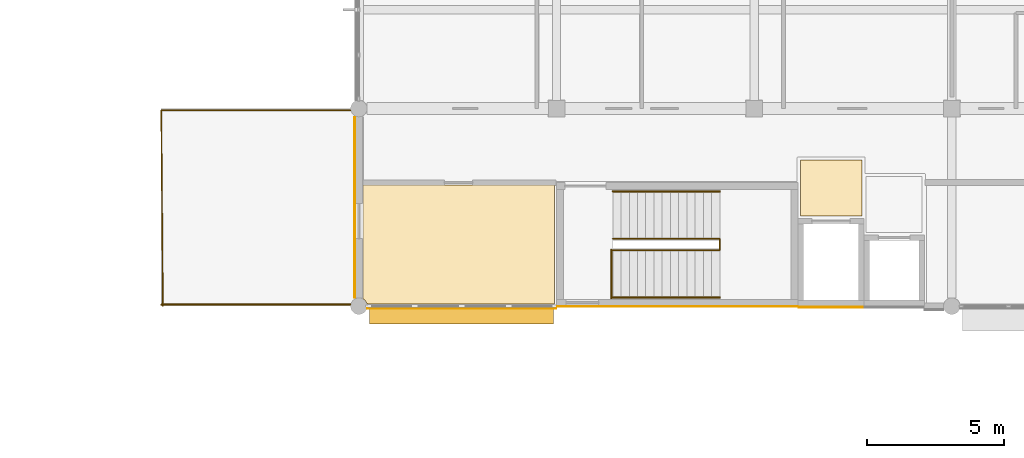
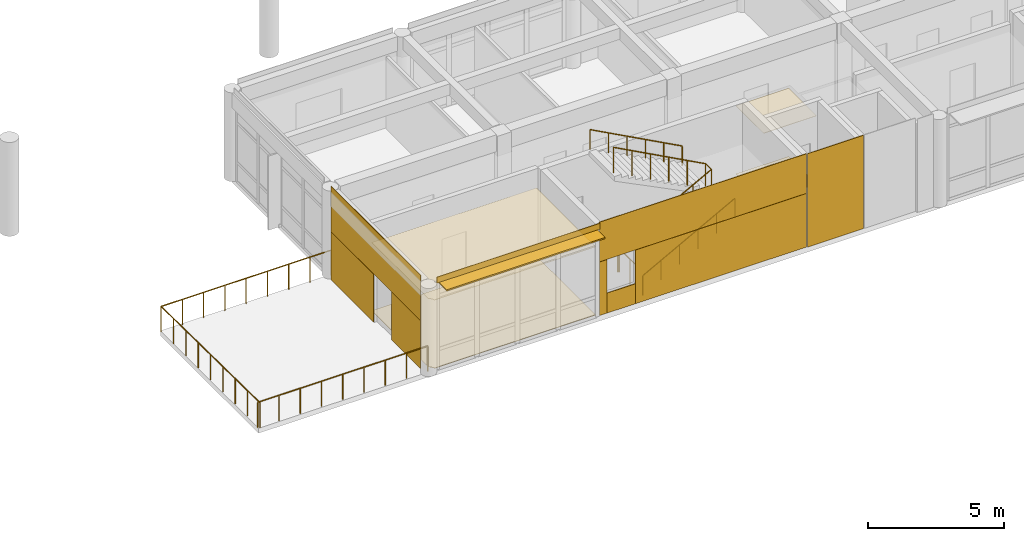
# One storey, part 35 of 41: 13 coverings, 6 railings, 1 shading device.
"""IFC4 building model written with IfcOpenShell, lengths in metres."""

from ifc_helpers import new_model, si_unit, direction, frame, origin, origin_2d, place, context, subcontext, project, spatial, polyline, rectangle, circle, outline, extrude, material, layer, layer_set, type_object, element, save


model = new_model("IFC4")

# Units and contexts
model_context = context("Model", 3, precision=1e-05, world=origin(), true_north=direction((0.0, 1.0)))
body_context = subcontext(model_context, "Body", "Model", "MODEL_VIEW")
ifc_project = project(units=[si_unit("LENGTHUNIT", "METRE"), si_unit("AREAUNIT", "SQUARE_METRE"), si_unit("VOLUMEUNIT", "CUBIC_METRE"), si_unit("PLANEANGLEUNIT", "RADIAN"), si_unit("MASSUNIT", "GRAM", prefix="KILO")], contexts=[model_context])

# Site, building, storey
site_placement = place(None, origin())
site = spatial("IfcSite", under=ifc_project, at=site_placement, CompositionType="ELEMENT")
building_placement = place(site_placement, origin())
building = spatial("IfcBuilding", under=site, at=building_placement, Name="Namkhue Oval Health Centre", CompositionType="ELEMENT")
storey_placement = place(building_placement, frame((0.0, 0.0, 13.800048828125)))
storey = spatial("IfcBuildingStorey", under=building, at=storey_placement, Name="L03", CompositionType="ELEMENT", Elevation=13.800048828125)

# Coverings
ifc_material_1 = material(Name="Acoustic mineral-fibre cleanroom ceiling", Category="gypsum")
ifc_layer_1 = layer(ifc_material_1, 0.02001953125)
ifc_layer_set_1 = layer_set([ifc_layer_1], Name="Acoustic mineral-fibre cleanroom ceiling")
covering_type_1 = type_object("IfcCoveringType", Name="ACOUSTIC CLEANROOM CEILING 20", PredefinedType="CEILING", material=ifc_layer_set_1)
covering_1_placement = place(storey_placement, frame((0.0, 0.0, 3.050048828125)))
element("IfcCovering", 1, at=covering_1_placement, inside=storey, type_object=covering_type_1, Name="Acoustic Ceiling L03-LL1 Lift Lobby LF-01", PredefinedType="CEILING", context=body_context, shape_type="SweptSolid", body=[
    extrude(outline(polyline([(66.47998046875, 93.280029296875), (66.47998046875, 95.320068359375), (68.719970703125, 95.320068359375), (68.719970703125, 93.280029296875), (66.47998046875, 93.280029296875)])), origin(), (0.0, 0.0, 1.0), 0.02001953125),
])
covering_2_placement = place(storey_placement, frame((0.0, 0.0, 3.050048828125)))
element("IfcCovering", 2, at=covering_2_placement, inside=storey, type_object=covering_type_1, Name="Acoustic Ceiling L03-209 West Terrace Wellness Lounge", PredefinedType="CEILING", context=body_context, shape_type="SweptSolid", body=[
    extrude(outline(polyline([(50.697509765625, 90.0849609375), (50.66845703125, 90.155029296875), (50.619140625, 90.21923828125), (50.554931640625, 90.2685546875), (50.544921875, 90.272705078125), (50.544921875, 94.419921875), (57.52001953125, 94.419921875), (57.52001953125, 90.0849609375), (50.697509765625, 90.0849609375)])), origin(), (0.0, 0.0, 1.0), 0.02001953125),
])
ifc_material_2 = material(Name="Homogeneous anti-bacterial clinical vinyl flooring", Category="plastic")
ifc_layer_2 = layer(ifc_material_2, 0.014892578125)
ifc_layer_set_2 = layer_set([ifc_layer_2], Name="Homogeneous anti-bacterial clinical vinyl flooring")
covering_type_2 = type_object("IfcCoveringType", Name="CLINICAL ANTIBACTERIAL VINYL FLOORING 15", PredefinedType="FLOORING", material=ifc_layer_set_2)
covering_3_placement = place(storey_placement, origin())
element("IfcCovering", 3, at=covering_3_placement, inside=storey, type_object=covering_type_2, Name="Clinical Flooring L03-LL1 Lift Lobby LF-01", PredefinedType="FLOORING", context=body_context, shape_type="SweptSolid", body=[
    extrude(outline(polyline([(66.47998046875, 93.280029296875), (66.47998046875, 95.320068359375), (68.719970703125, 95.320068359375), (68.719970703125, 93.280029296875), (66.47998046875, 93.280029296875)])), origin(), (0.0, 0.0, 1.0), 0.014892578125),
])
covering_4_placement = place(storey_placement, origin())
element("IfcCovering", 4, at=covering_4_placement, inside=storey, type_object=covering_type_2, Name="Clinical Flooring L03-209 West Terrace Wellness Lounge", PredefinedType="FLOORING", context=body_context, shape_type="SweptSolid", body=[
    extrude(outline(polyline([(50.697509765625, 90.0849609375), (50.66845703125, 90.155029296875), (50.619140625, 90.21923828125), (50.554931640625, 90.2685546875), (50.544921875, 90.272705078125), (50.544921875, 94.419921875), (57.52001953125, 94.419921875), (57.52001953125, 90.0849609375), (50.697509765625, 90.0849609375)])), origin(), (0.0, 0.0, 1.0), 0.014892578125),
])

# Railings
ifc_material_3 = material(Name="Brushed stainless steel 316L balustrade with laminated glass infill", Category="steel")
railing_type_1 = type_object("IfcRailingType", Name="EXTERIOR BALUSTRADE GUARD 1150", PredefinedType="BALUSTRADE", material=ifc_material_3)
railing_1_placement = place(storey_placement, frame((43.199951171875, 90.06005859375, 0.0)))
element("IfcRailing", 5, at=railing_1_placement, inside=storey, type_object=railing_type_1, Name="Volume V2 L03 Terrace Balustrade Guard 1", PredefinedType="BALUSTRADE", context=body_context, shape_type="SweptSolid", body=[
    extrude(circle(Radius=0.02392578125, at=origin_2d()), frame((0.0, 0.0, 1.1259765625), z_axis=(1.0, 0.0, 0.0), x_axis=(0.0, 1.0, 0.0)), (0.0, 0.0, 1.0), 7.199951171875),
    extrude(circle(Radius=0.02099609375, at=origin_2d()), origin(), (0.0, 0.0, 1.0), 1.101806640625),
    extrude(circle(Radius=0.02099609375, at=origin_2d()), frame((0.89990234375, 0.0, 0.0)), (0.0, 0.0, 1.0), 1.101806640625),
    extrude(circle(Radius=0.02099609375, at=origin_2d()), frame((1.800048828125, 0.0, 0.0)), (0.0, 0.0, 1.0), 1.101806640625),
    extrude(circle(Radius=0.02099609375, at=origin_2d()), frame((2.699951171875, 0.0, 0.0)), (0.0, 0.0, 1.0), 1.101806640625),
    extrude(circle(Radius=0.02099609375, at=origin_2d()), frame((3.60009765625, 0.0, 0.0)), (0.0, 0.0, 1.0), 1.101806640625),
    extrude(circle(Radius=0.02099609375, at=origin_2d()), frame((4.5, 0.0, 0.0)), (0.0, 0.0, 1.0), 1.101806640625),
    extrude(circle(Radius=0.02099609375, at=origin_2d()), frame((5.39990234375, 0.0, 0.0)), (0.0, 0.0, 1.0), 1.101806640625),
    extrude(circle(Radius=0.02099609375, at=origin_2d()), frame((6.300048828125, 0.0, 0.0)), (0.0, 0.0, 1.0), 1.101806640625),
    extrude(circle(Radius=0.02099609375, at=origin_2d()), frame((7.199951171875, 0.0, 0.0)), (0.0, 0.0, 1.0), 1.101806640625),
])
railing_2_placement = place(storey_placement, frame((50.39990234375, 97.139892578125, 0.0)))
element("IfcRailing", 6, at=railing_2_placement, inside=storey, type_object=railing_type_1, Name="Volume V2 L03 Terrace Balustrade Guard 2", PredefinedType="BALUSTRADE", context=body_context, shape_type="SweptSolid", body=[
    extrude(circle(Radius=0.02392578125, at=origin_2d()), frame((0.0, 0.0, 1.1259765625), z_axis=(-1.0, 0.0, 0.0), x_axis=(0.0, -1.0, 0.0)), (0.0, 0.0, 1.0), 7.199951171875),
    extrude(circle(Radius=0.02392578125, at=origin_2d()), frame((-7.199951171875, 0.0, 1.1259765625), z_axis=(0.008411396731, -0.999964623577, 0.0), x_axis=(0.999964623577, 0.008411396731, 0.0)), (0.0, 0.0, 1.0), 7.14013671875),
    extrude(circle(Radius=0.02099609375, at=origin_2d()), origin(), (0.0, 0.0, 1.0), 1.101806640625),
    extrude(circle(Radius=0.02099609375, at=origin_2d()), frame((-0.89990234375, 0.0, 0.0)), (0.0, 0.0, 1.0), 1.101806640625),
    extrude(circle(Radius=0.02099609375, at=origin_2d()), frame((-1.800048828125, 0.0, 0.0)), (0.0, 0.0, 1.0), 1.101806640625),
    extrude(circle(Radius=0.02099609375, at=origin_2d()), frame((-2.699951171875, 0.0, 0.0)), (0.0, 0.0, 1.0), 1.101806640625),
    extrude(circle(Radius=0.02099609375, at=origin_2d()), frame((-3.60009765625, 0.0, 0.0)), (0.0, 0.0, 1.0), 1.101806640625),
    extrude(circle(Radius=0.02099609375, at=origin_2d()), frame((-4.5, 0.0, 0.0)), (0.0, 0.0, 1.0), 1.101806640625),
    extrude(circle(Radius=0.02099609375, at=origin_2d()), frame((-5.39990234375, 0.0, 0.0)), (0.0, 0.0, 1.0), 1.101806640625),
    extrude(circle(Radius=0.02099609375, at=origin_2d()), frame((-6.300048828125, 0.0, 0.0)), (0.0, 0.0, 1.0), 1.101806640625),
    extrude(circle(Radius=0.02099609375, at=origin_2d()), frame((-7.199951171875, 0.0, 0.0)), (0.0, 0.0, 1.0), 1.101806640625),
    extrude(circle(Radius=0.02099609375, at=origin_2d()), frame((-7.1923828125, -0.892578125, 0.0)), (0.0, 0.0, 1.0), 1.101806640625),
    extrude(circle(Radius=0.02099609375, at=origin_2d()), frame((-7.18505859375, -1.784912109375, 0.0)), (0.0, 0.0, 1.0), 1.101806640625),
    extrude(circle(Radius=0.02099609375, at=origin_2d()), frame((-7.177490234375, -2.677490234375, 0.0)), (0.0, 0.0, 1.0), 1.101806640625),
    extrude(circle(Radius=0.02099609375, at=origin_2d()), frame((-7.169921875, -3.56982421875, 0.0)), (0.0, 0.0, 1.0), 1.101806640625),
    extrude(circle(Radius=0.02099609375, at=origin_2d()), frame((-7.162353515625, -4.46240234375, 0.0)), (0.0, 0.0, 1.0), 1.101806640625),
    extrude(circle(Radius=0.02099609375, at=origin_2d()), frame((-7.15478515625, -5.35498046875, 0.0)), (0.0, 0.0, 1.0), 1.101806640625),
    extrude(circle(Radius=0.02099609375, at=origin_2d()), frame((-7.1474609375, -6.247314453125, 0.0)), (0.0, 0.0, 1.0), 1.101806640625),
    extrude(circle(Radius=0.02099609375, at=origin_2d()), frame((-7.139892578125, -7.139892578125, 0.0)), (0.0, 0.0, 1.0), 1.101806640625),
])
railing_type_2 = type_object("IfcRailingType", Name="INTERIOR BALUSTRADE GUARD 1150", PredefinedType="BALUSTRADE", material=ifc_material_3)
railing_3_placement = place(storey_placement, frame((59.60009765625, 90.2900390625, 0.0)))
element("IfcRailing", 7, at=railing_3_placement, inside=storey, type_object=railing_type_2, Name="Stair ST-03 L03 Landing Well Edge Guard", PredefinedType="BALUSTRADE", context=body_context, shape_type="SweptSolid", body=[
    extrude(circle(Radius=0.02392578125, at=origin_2d()), frame((0.0, 0.0, 1.1259765625), z_axis=(0.0, 1.0, 0.0), x_axis=(-1.0, 0.0, 0.0)), (0.0, 0.0, 1.0), 1.77001953125),
    extrude(circle(Radius=0.02099609375, at=origin_2d()), origin(), (0.0, 0.0, 1.0), 1.101806640625),
    extrude(circle(Radius=0.02099609375, at=origin_2d()), frame((0.0, 0.885009765625, 0.0)), (0.0, 0.0, 1.0), 1.101806640625),
    extrude(circle(Radius=0.02099609375, at=origin_2d()), frame((0.0, 1.77001953125, 0.0)), (0.0, 0.0, 1.0), 1.101806640625),
])
railing_4_placement = place(storey_placement, frame((59.64990234375, 92.0400390625, 0.0)))
element("IfcRailing", 8, at=railing_4_placement, inside=storey, type_object=railing_type_2, Name="Stair ST-03 L03 Inner Well Guard", PredefinedType="BALUSTRADE", context=body_context, shape_type="SweptSolid", body=[
    extrude(circle(Radius=0.02392578125, at=origin_2d()), frame((0.0, 0.0, 1.1259765625), z_axis=(0.88049233674, 0.0, 0.474060381114), x_axis=(0.0, 1.0, 0.0)), (0.0, 0.0, 1.0), 4.429443359375),
    extrude(circle(Radius=0.02392578125, at=origin_2d()), frame((3.900146484375, 0.0, 3.2255859375), z_axis=(0.0, 1.0, 0.0), x_axis=(-1.0, 0.0, 0.0)), (0.0, 0.0, 1.0), 0.419921875),
    extrude(circle(Radius=0.02392578125, at=origin_2d()), frame((3.900146484375, 0.419921875, 3.2255859375), z_axis=(-0.880469330154, 0.0, 0.474103109733), x_axis=(0.0, -1.0, 0.0)), (0.0, 0.0, 1.0), 4.4296875),
    extrude(circle(Radius=0.02099609375, at=origin_2d()), origin(), (0.0, 0.0, 1.0), 1.101806640625),
    extrude(circle(Radius=0.02099609375, at=origin_2d()), frame((0.780029296875, 0.0, 0.419921875)), (0.0, 0.0, 1.0), 1.101806640625),
    extrude(circle(Radius=0.02099609375, at=origin_2d()), frame((1.56005859375, 0.0, 0.83984375)), (0.0, 0.0, 1.0), 1.101806640625),
    extrude(circle(Radius=0.02099609375, at=origin_2d()), frame((2.340087890625, 0.0, 1.260009765625)), (0.0, 0.0, 1.0), 1.101806640625),
    extrude(circle(Radius=0.02099609375, at=origin_2d()), frame((3.1201171875, 0.0, 1.679931640625)), (0.0, 0.0, 1.0), 1.101806640625),
    extrude(circle(Radius=0.02099609375, at=origin_2d()), frame((3.900146484375, 0.0, 2.099853515625)), (0.0, 0.0, 1.0), 1.101806640625),
    extrude(circle(Radius=0.02099609375, at=origin_2d()), frame((3.900146484375, 0.419921875, 2.099853515625)), (0.0, 0.0, 1.0), 1.101806640625),
    extrude(circle(Radius=0.02099609375, at=origin_2d()), frame((3.1201171875, 0.419921875, 2.519775390625)), (0.0, 0.0, 1.0), 1.101806640625),
    extrude(circle(Radius=0.02099609375, at=origin_2d()), frame((2.340087890625, 0.419921875, 2.93994140625)), (0.0, 0.0, 1.0), 1.101806640625),
    extrude(circle(Radius=0.02099609375, at=origin_2d()), frame((1.56005859375, 0.419921875, 3.35986328125)), (0.0, 0.0, 1.0), 1.101806640625),
    extrude(circle(Radius=0.02099609375, at=origin_2d()), frame((0.780029296875, 0.419921875, 3.780029296875)), (0.0, 0.0, 1.0), 1.101806640625),
    extrude(circle(Radius=0.02099609375, at=origin_2d()), frame((0.0, 0.419921875, 4.199951171875)), (0.0, 0.0, 1.0), 1.101806640625),
])
ifc_material_4 = material(Name="Brushed stainless steel 304 tubular handrail", Category="steel")
railing_type_3 = type_object("IfcRailingType", Name="INTERIOR STAIR HANDRAIL 900", PredefinedType="HANDRAIL", material=ifc_material_4)
railing_5_placement = place(storey_placement, frame((59.64990234375, 90.320068359375, 0.0)))
element("IfcRailing", 9, at=railing_5_placement, inside=storey, type_object=railing_type_3, Name="Stair ST-03 L03 Flight 1 Handrail", PredefinedType="HANDRAIL", context=body_context, shape_type="SweptSolid", body=[
    extrude(circle(Radius=0.02392578125, at=origin_2d()), frame((0.0, 0.0, 0.8759765625), z_axis=(0.88049233674, 0.0, 0.474060381114), x_axis=(0.0, 1.0, 0.0)), (0.0, 0.0, 1.0), 4.429443359375),
    extrude(circle(Radius=0.02099609375, at=origin_2d()), origin(), (0.0, 0.0, 1.0), 0.851806640625),
    extrude(circle(Radius=0.02099609375, at=origin_2d()), frame((0.780029296875, 0.0, 0.419921875)), (0.0, 0.0, 1.0), 0.851806640625),
    extrude(circle(Radius=0.02099609375, at=origin_2d()), frame((1.56005859375, 0.0, 0.83984375)), (0.0, 0.0, 1.0), 0.851806640625),
    extrude(circle(Radius=0.02099609375, at=origin_2d()), frame((2.340087890625, 0.0, 1.260009765625)), (0.0, 0.0, 1.0), 0.851806640625),
    extrude(circle(Radius=0.02099609375, at=origin_2d()), frame((3.1201171875, 0.0, 1.679931640625)), (0.0, 0.0, 1.0), 0.851806640625),
    extrude(circle(Radius=0.02099609375, at=origin_2d()), frame((3.900146484375, 0.0, 2.099853515625)), (0.0, 0.0, 1.0), 0.851806640625),
])
railing_6_placement = place(storey_placement, frame((63.550048828125, 94.179931640625, 2.099853515625)))
element("IfcRailing", 10, at=railing_6_placement, inside=storey, type_object=railing_type_3, Name="Stair ST-03 L03 Flight 2 Handrail", PredefinedType="HANDRAIL", context=body_context, shape_type="SweptSolid", body=[
    extrude(circle(Radius=0.02392578125, at=origin_2d()), frame((0.0, 0.0, 0.8759765625), z_axis=(-0.880469330154, 0.0, 0.474103109733), x_axis=(0.0, -1.0, 0.0)), (0.0, 0.0, 1.0), 4.4296875),
    extrude(circle(Radius=0.02099609375, at=origin_2d()), origin(), (0.0, 0.0, 1.0), 0.851806640625),
    extrude(circle(Radius=0.02099609375, at=origin_2d()), frame((-0.780029296875, 0.0, 0.419921875)), (0.0, 0.0, 1.0), 0.851806640625),
    extrude(circle(Radius=0.02099609375, at=origin_2d()), frame((-1.56005859375, 0.0, 0.840087890625)), (0.0, 0.0, 1.0), 0.851806640625),
    extrude(circle(Radius=0.02099609375, at=origin_2d()), frame((-2.340087890625, 0.0, 1.260009765625)), (0.0, 0.0, 1.0), 0.851806640625),
    extrude(circle(Radius=0.02099609375, at=origin_2d()), frame((-3.1201171875, 0.0, 1.68017578125)), (0.0, 0.0, 1.0), 0.851806640625),
    extrude(circle(Radius=0.02099609375, at=origin_2d()), frame((-3.900146484375, 0.0, 2.10009765625)), (0.0, 0.0, 1.0), 0.851806640625),
])

# Shading device
ifc_material_5 = material(Name="Anodised aluminium EN AW-6063 T6", Category="aluminium")
ifc_layer_3 = layer(ifc_material_5, 0.050048828125)
ifc_layer_set_3 = layer_set([ifc_layer_3], Name="Anodised aluminium EN AW-6063 T6")
shading_device_type = type_object("IfcShadingDeviceType", Name="STORM SHUTTER LOUVRE 650", PredefinedType="SHUTTER", material=ifc_layer_set_3)
shading_device_placement = place(storey_placement, frame((54.146484375, 89.675048828125, 3.875), z_axis=(0.0, 0.0, 1.0), x_axis=(1.0, 0.0, 0.0)))
element("IfcShadingDevice", 11, at=shading_device_placement, inside=storey, type_object=shading_device_type, Name="Volume V2 L03 Horizontal Monsoon Sun Louvre 89", PredefinedType="SHUTTER", context=body_context, shape_type="SweptSolid", body=[
    extrude(rectangle(XDim=6.702880859375, YDim=0.64990234375, at=origin_2d()), origin(), (0.0, 0.0, 1.0), 0.06005859375),
])

# Coverings
ifc_material_6 = material(Name="White glass-fibre reinforced concrete GRC rainscreen cladding", Category="concrete")
ifc_layer_4 = layer(ifc_material_6, 0.02490234375)
ifc_layer_set_4 = layer_set([ifc_layer_4], Name="White glass-fibre reinforced concrete GRC rainscreen cladding")
covering_type_3 = type_object("IfcCoveringType", Name="WHITE GRC RAINSCREEN CLADDING 25", PredefinedType="CLADDING", material=ifc_layer_set_4)
covering_5_placement = place(storey_placement, frame((54.146484375, 89.91162109375, 3.929931640625), z_axis=(0.0, 0.0, 1.0), x_axis=(1.0, 0.0, 0.0)))
element("IfcCovering", 12, at=covering_5_placement, inside=storey, type_object=covering_type_3, Name="Volume V2 L03 Curtain Wall Spandrel Cladding 70", PredefinedType="CLADDING", context=body_context, shape_type="SweptSolid", body=[
    extrude(rectangle(XDim=6.89306640625, YDim=0.02490234375, at=origin_2d()), origin(), (0.0, 0.0, 1.0), 0.27001953125),
])
covering_6_placement = place(storey_placement, frame((50.2529296875, 93.60009765625, 2.1650390625), z_axis=(0.0, 0.0, 1.0), x_axis=(0.0, -1.0, 0.0)))
element("IfcCovering", 13, at=covering_6_placement, inside=storey, type_object=covering_type_3, Name="Volume V2 L03 Facade 42 White GRC Cladding 1", PredefinedType="CLADDING", context=body_context, shape_type="SweptSolid", body=[
    extrude(rectangle(XDim=6.570068359375, YDim=0.02490234375, at=origin_2d()), origin(), (0.0, 0.0, 1.0), 2.02490234375),
])
covering_7_placement = place(storey_placement, frame((50.2529296875, 95.320068359375, 0.010009765625), z_axis=(0.0, 0.0, 1.0), x_axis=(0.0, -1.0, 0.0)))
element("IfcCovering", 14, at=covering_7_placement, inside=storey, type_object=covering_type_3, Name="Volume V2 L03 Facade 42 White GRC Cladding 2", PredefinedType="CLADDING", context=body_context, shape_type="SweptSolid", body=[
    extrude(rectangle(XDim=3.1298828125, YDim=0.02490234375, at=origin_2d()), origin(), (0.0, 0.0, 1.0), 2.14990234375),
])
covering_8_placement = place(storey_placement, frame((50.2529296875, 91.3798828125, 0.010009765625), z_axis=(0.0, 0.0, 1.0), x_axis=(0.0, -1.0, 0.0)))
element("IfcCovering", 15, at=covering_8_placement, inside=storey, type_object=covering_type_3, Name="Volume V2 L03 Facade 42 White GRC Cladding 3", PredefinedType="CLADDING", context=body_context, shape_type="SweptSolid", body=[
    extrude(rectangle(XDim=2.1298828125, YDim=0.02490234375, at=origin_2d()), origin(), (0.0, 0.0, 1.0), 2.14990234375),
])
covering_9_placement = place(storey_placement, frame((62.0, 89.988037109375, 2.4150390625), z_axis=(0.0, 0.0, 1.0), x_axis=(1.0, 0.0, 0.0)))
element("IfcCovering", 16, at=covering_9_placement, inside=storey, type_object=covering_type_3, Name="Core SC-03 L03 Core S White GRC Cladding 1", PredefinedType="CLADDING", context=body_context, shape_type="SweptSolid", body=[
    extrude(rectangle(XDim=8.760009765625, YDim=0.02490234375, at=origin_2d()), origin(), (0.0, 0.0, 1.0), 1.77490234375),
])
covering_10_placement = place(storey_placement, frame((57.777587890625, 89.988037109375, 0.010009765625), z_axis=(0.0, 0.0, 1.0), x_axis=(1.0, 0.0, 0.0)))
element("IfcCovering", 17, at=covering_10_placement, inside=storey, type_object=covering_type_3, Name="Core SC-03 L03 Core S White GRC Cladding 2", PredefinedType="CLADDING", context=body_context, shape_type="SweptSolid", body=[
    extrude(rectangle(XDim=0.31494140625, YDim=0.02490234375, at=origin_2d()), origin(), (0.0, 0.0, 1.0), 2.39990234375),
])
covering_11_placement = place(storey_placement, frame((58.5400390625, 89.988037109375, 0.010009765625), z_axis=(0.0, 0.0, 1.0), x_axis=(1.0, 0.0, 0.0)))
element("IfcCovering", 18, at=covering_11_placement, inside=storey, type_object=covering_type_3, Name="Core SC-03 L03 Core S White GRC Cladding 3", PredefinedType="CLADDING", context=body_context, shape_type="SweptSolid", body=[
    extrude(rectangle(XDim=1.199951171875, YDim=0.02490234375, at=origin_2d()), origin(), (0.0, 0.0, 1.0), 0.89501953125),
])
covering_12_placement = place(storey_placement, frame((62.762451171875, 89.988037109375, 0.010009765625), z_axis=(0.0, 0.0, 1.0), x_axis=(1.0, 0.0, 0.0)))
element("IfcCovering", 19, at=covering_12_placement, inside=storey, type_object=covering_type_3, Name="Core SC-03 L03 Core S White GRC Cladding 4", PredefinedType="CLADDING", context=body_context, shape_type="SweptSolid", body=[
    extrude(rectangle(XDim=7.235107421875, YDim=0.02490234375, at=origin_2d()), origin(), (0.0, 0.0, 1.0), 2.39990234375),
])
covering_13_placement = place(storey_placement, frame((67.60009765625, 89.962890625, 0.009765625), z_axis=(0.0, 0.0, 1.0), x_axis=(1.0, 0.0, 0.0)))
element("IfcCovering", 20, at=covering_13_placement, inside=storey, type_object=covering_type_3, Name="Lift LF-01 L03 S White GRC Cladding 1", PredefinedType="CLADDING", context=body_context, shape_type="SweptSolid", body=[
    extrude(rectangle(XDim=2.360107421875, YDim=0.02490234375, at=origin_2d()), origin(), (0.0, 0.0, 1.0), 4.179931640625),
])

save(model, "model.ifc")
